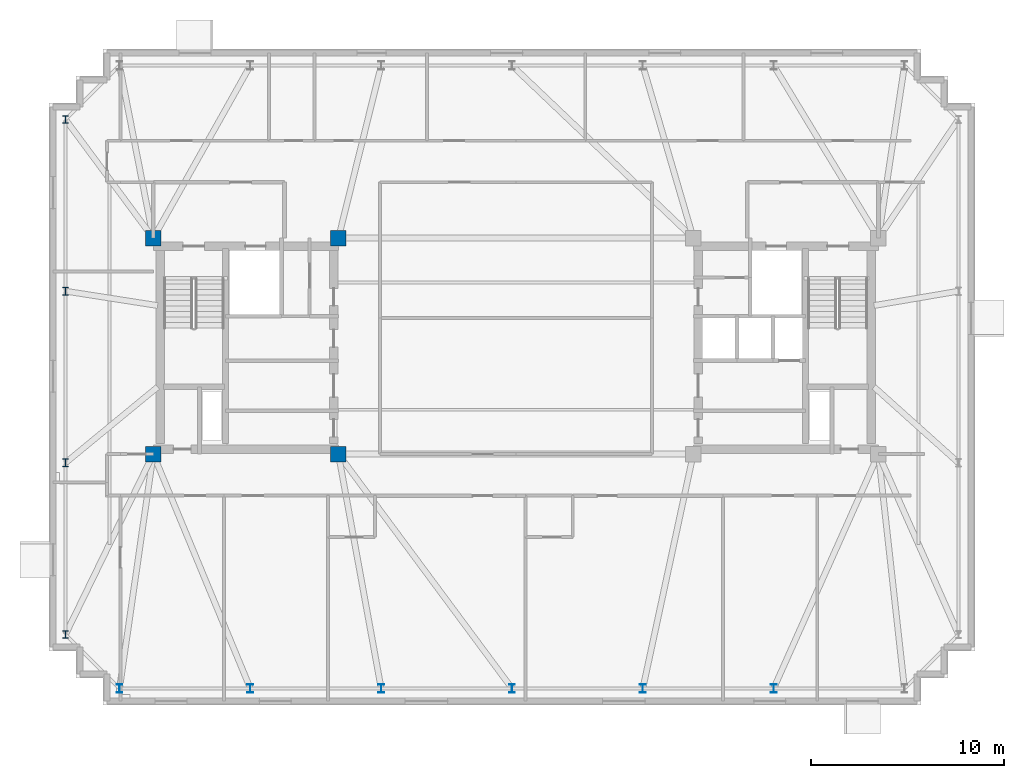
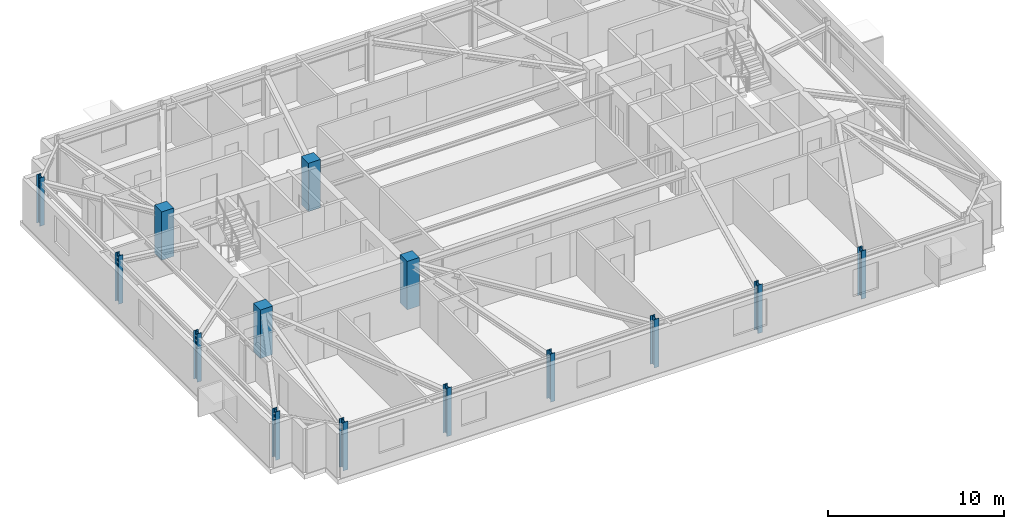
# One storey, part 1 of 11: 14 columns.
"""IFC4 building model written with IfcOpenShell, lengths in metres."""

from ifc_helpers import new_model, si_unit, direction, frame, origin, origin_2d, place, context, subcontext, project, spatial, rectangle, i_section, extrude, material, material_profile, profile_set, type_object, element, save


model = new_model("IFC4")

# Units and contexts
model_context = context("Model", 3, precision=1e-05, world=origin(), true_north=direction((0.0, 1.0)))
body_context = subcontext(model_context, "Body", "Model", "MODEL_VIEW")
ifc_project = project(units=[si_unit("LENGTHUNIT", "METRE"), si_unit("AREAUNIT", "SQUARE_METRE"), si_unit("VOLUMEUNIT", "CUBIC_METRE"), si_unit("PLANEANGLEUNIT", "RADIAN"), si_unit("MASSUNIT", "GRAM", prefix="KILO")], contexts=[model_context])

# Site, building, storey
site_placement = place(None, origin())
site = spatial("IfcSite", under=ifc_project, at=site_placement, CompositionType="ELEMENT")
building_placement = place(site_placement, origin())
building = spatial("IfcBuilding", under=site, at=building_placement, Name="Qobustan Lattice House", CompositionType="ELEMENT")
storey_placement = place(building_placement, frame((0.0, 0.0, 255.10009765625)))
storey = spatial("IfcBuildingStorey", under=building, at=storey_placement, Name="L72", CompositionType="ELEMENT", Elevation=255.10009765625)

# Columns
ifc_material_1 = material(Name="Concrete C50/60", Category="concrete")
ifc_material_profile_1 = material_profile(ifc_material_1, rectangle(XDim=0.800048828125, YDim=0.800048828125, at=origin_2d()), Name="RC800x800")
ifc_profile_set_1 = profile_set([ifc_material_profile_1], Name="Concrete C50/60")
column_type_1 = type_object("IfcColumnType", Name="COL-RC-800", PredefinedType="COLUMN", material=ifc_profile_set_1)
for number, where, z_axis, x_axis, name in (
    (1, (-18.800048828125, -5.60009765625, 0.0), (0.0, 0.0, 1.0), (1.0, 0.0, 0.0), "L72 core mega-column CW-SW"),
    (2, (-18.800048828125, 5.60009765625, 0.0), (0.0, 0.0, 1.0), (1.0, 0.0, 0.0), "L72 core mega-column CW-NW"),
    (3, (-9.199951171875, -5.60009765625, 0.0), (0.0, 0.0, 1.0), (1.0, 0.0, 0.0), "L72 core mega-column CW-SE"),
    (4, (-9.199951171875, 5.60009765625, 0.0), (0.0, 0.0, 1.0), (1.0, 0.0, 0.0), "L72 core mega-column CW-NE"),
):
    element("IfcColumn", number, at=place(storey_placement, frame(where, z_axis=z_axis, x_axis=x_axis)), inside=storey, type_object=column_type_1, Name=name, PredefinedType="COLUMN", context=body_context, shape_type="SweptSolid", body=[
        extrude(rectangle(XDim=0.800048828125, YDim=0.800048828125, at=origin_2d()), origin(), (0.0, 0.0, 1.0), 3.349853515625),
    ])
ifc_material_2 = material(Name="Steel S355", Category="steel")
ifc_material_profile_2 = material_profile(ifc_material_2, i_section(OverallWidth=0.300048828125, OverallDepth=0.39990234375, WebThickness=0.013427734375, FlangeThickness=0.02392578125, FilletRadius=0.027099609375, at=origin_2d()), Name="HEB400")
ifc_profile_set_2 = profile_set([ifc_material_profile_2], Name="Steel S355")
column_type_2 = type_object("IfcColumnType", Name="COL-ST-HEB400", PredefinedType="COLUMN", material=ifc_profile_set_2)
for number, where, z_axis, x_axis, name in (
    (5, (-23.35009765625, 11.75, 0.0), (0.0, 0.0, 1.0), (1.0, 0.0, 0.0), "L72 B5 perimeter column W1"),
    (6, (-23.35009765625, 2.85009765625, 0.0), (0.0, 0.0, 1.0), (1.0, 0.0, 0.0), "L72 B5 perimeter column W2"),
    (7, (-23.35009765625, -6.050048828125, 0.0), (0.0, 0.0, 1.0), (1.0, 0.0, 0.0), "L72 B5 perimeter column W3"),
    (8, (-23.35009765625, -14.949951171875, 0.0), (0.0, 0.0, 1.0), (1.0, 0.0, 0.0), "L72 B5 perimeter column W4"),
):
    element("IfcColumn", number, at=place(storey_placement, frame(where, z_axis=z_axis, x_axis=x_axis)), inside=storey, type_object=column_type_2, Name=name, PredefinedType="COLUMN", context=body_context, shape_type="SweptSolid", body=[
        extrude(i_section(OverallWidth=0.300048828125, OverallDepth=0.39990234375, WebThickness=0.013427734375, FlangeThickness=0.02392578125, FilletRadius=0.027099609375, at=origin_2d()), origin(), (0.0, 0.0, 1.0), 3.349853515625),
    ])
ifc_material_3 = material(Name="Steel S355", Category="steel")
ifc_material_profile_3 = material_profile(ifc_material_3, i_section(OverallWidth=0.300048828125, OverallDepth=0.449951171875, WebThickness=0.013916015625, FlangeThickness=0.02587890625, FilletRadius=0.027099609375, at=origin_2d()), Name="HEB450")
ifc_profile_set_3 = profile_set([ifc_material_profile_3], Name="Steel S355")
column_type_3 = type_object("IfcColumnType", Name="COL-ST-HEB450", PredefinedType="COLUMN", material=ifc_profile_set_3)
for number, where, z_axis, x_axis, name in (
    (9, (-20.550048828125, -17.75, 0.0), (0.0, 0.0, 1.0), (1.0, 0.0, 0.0), "L72 B5 perimeter column S1"),
    (10, (-13.7666015625, -17.75, 0.0), (0.0, 0.0, 1.0), (1.0, 0.0, 0.0), "L72 B5 perimeter column S2"),
    (11, (-6.9833984375, -17.75, 0.0), (0.0, 0.0, 1.0), (1.0, 0.0, 0.0), "L72 B5 perimeter column S3"),
    (12, (-0.199951171875, -17.75, 0.0), (0.0, 0.0, 1.0), (1.0, 0.0, 0.0), "L72 B5 perimeter column S4"),
    (13, (6.583251953125, -17.75, 0.0), (0.0, 0.0, 1.0), (1.0, 0.0, 0.0), "L72 B5 perimeter column S5"),
    (14, (13.36669921875, -17.75, 0.0), (0.0, 0.0, 1.0), (1.0, 0.0, 0.0), "L72 B5 perimeter column S6"),
):
    element("IfcColumn", number, at=place(storey_placement, frame(where, z_axis=z_axis, x_axis=x_axis)), inside=storey, type_object=column_type_3, Name=name, PredefinedType="COLUMN", context=body_context, shape_type="SweptSolid", body=[
        extrude(i_section(OverallWidth=0.300048828125, OverallDepth=0.449951171875, WebThickness=0.013916015625, FlangeThickness=0.02587890625, FilletRadius=0.027099609375, at=origin_2d()), origin(), (0.0, 0.0, 1.0), 3.349853515625),
    ])

save(model, "model.ifc")
